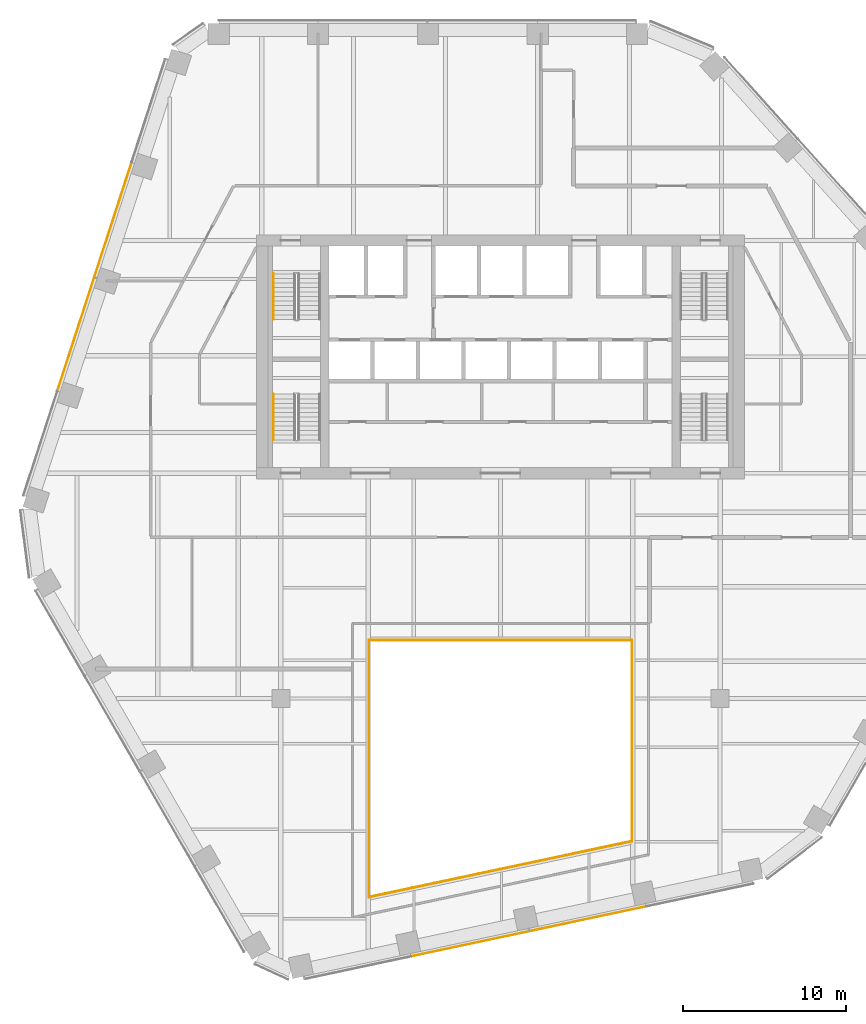
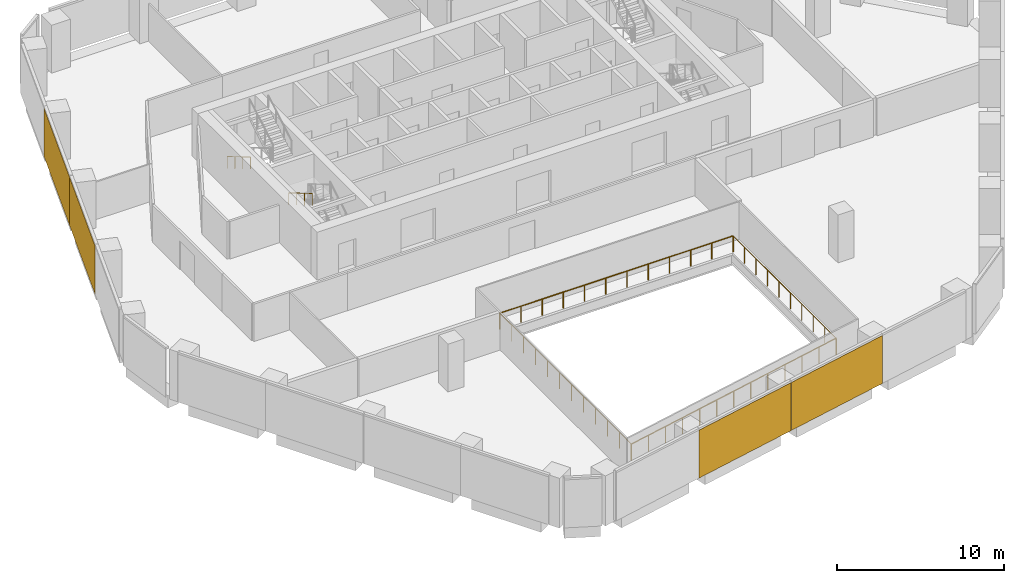
# One storey, part 14 of 16: 6 railings, 4 coverings, 2 elements without a shape of their own.
"""IFC4 building model written with IfcOpenShell, lengths in metres."""

from ifc_helpers import new_model, si_unit, direction, frame, origin, origin_2d, place, context, subcontext, project, spatial, rectangle, circle, extrude, material, layer, layer_set, type_object, element, aggregate, save


model = new_model("IFC4")

# Units and contexts
model_context = context("Model", 3, precision=1e-05, world=origin(), true_north=direction((0.0, 1.0)))
body_context = subcontext(model_context, "Body", "Model", "MODEL_VIEW")
ifc_project = project(units=[si_unit("LENGTHUNIT", "METRE"), si_unit("AREAUNIT", "SQUARE_METRE"), si_unit("VOLUMEUNIT", "CUBIC_METRE"), si_unit("PLANEANGLEUNIT", "RADIAN"), si_unit("MASSUNIT", "GRAM", prefix="KILO")], contexts=[model_context])

# Site, building, storey
site_placement = place(None, origin())
site = spatial("IfcSite", under=ifc_project, at=site_placement, CompositionType="ELEMENT")
building_placement = place(site_placement, origin())
building = spatial("IfcBuilding", under=site, at=building_placement, Name="Isthmus Gate Tower", CompositionType="ELEMENT")
storey_placement = place(building_placement, frame((0.0, 0.0, 170.800048828125)))
storey = spatial("IfcBuildingStorey", under=building, at=storey_placement, Name="L42", CompositionType="ELEMENT", Elevation=170.800048828125)

# Railings
ifc_material_1 = material(Name="Laminated toughened glass balustrade with steel rail", Category="steel")
railing_type_1 = type_object("IfcRailingType", Name="ATRIUM GUARD GLASS BALUSTRADE 1200", PredefinedType="GUARDRAIL", material=ifc_material_1)
railing_1_placement = place(storey_placement, frame((-8.080078125, -25.7099609375, 0.0)))
element("IfcRailing", 1, at=railing_1_placement, inside=storey, type_object=railing_type_1, Name="L42 atrium guard", PredefinedType="GUARDRAIL", context=body_context, shape_type="SweptSolid", body=[
    extrude(circle(Radius=0.02490234375, at=origin_2d()), frame((0.0, 0.0, 1.1748046875), z_axis=(0.0, 1.0, 0.0), x_axis=(-1.0, 0.0, 0.0)), (0.0, 0.0, 1.0), 15.7900390625),
    extrude(circle(Radius=0.02490234375, at=origin_2d()), origin(), (0.0, 0.0, 1.0), 1.14990234375),
    extrude(circle(Radius=0.02490234375, at=origin_2d()), frame((0.0, 1.435546875, 0.0)), (0.0, 0.0, 1.0), 1.14990234375),
    extrude(circle(Radius=0.02490234375, at=origin_2d()), frame((0.0, 2.870849609375, 0.0)), (0.0, 0.0, 1.0), 1.14990234375),
    extrude(circle(Radius=0.02490234375, at=origin_2d()), frame((0.0, 4.306396484375, 0.0)), (0.0, 0.0, 1.0), 1.14990234375),
    extrude(circle(Radius=0.02490234375, at=origin_2d()), frame((0.0, 5.741943359375, 0.0)), (0.0, 0.0, 1.0), 1.14990234375),
    extrude(circle(Radius=0.02490234375, at=origin_2d()), frame((0.0, 7.17724609375, 0.0)), (0.0, 0.0, 1.0), 1.14990234375),
    extrude(circle(Radius=0.02490234375, at=origin_2d()), frame((0.0, 8.61279296875, 0.0)), (0.0, 0.0, 1.0), 1.14990234375),
    extrude(circle(Radius=0.02490234375, at=origin_2d()), frame((0.0, 10.048095703125, 0.0)), (0.0, 0.0, 1.0), 1.14990234375),
    extrude(circle(Radius=0.02490234375, at=origin_2d()), frame((0.0, 11.483642578125, 0.0)), (0.0, 0.0, 1.0), 1.14990234375),
    extrude(circle(Radius=0.02490234375, at=origin_2d()), frame((0.0, 12.919189453125, 0.0)), (0.0, 0.0, 1.0), 1.14990234375),
    extrude(circle(Radius=0.02490234375, at=origin_2d()), frame((0.0, 14.3544921875, 0.0)), (0.0, 0.0, 1.0), 1.14990234375),
    extrude(circle(Radius=0.02490234375, at=origin_2d()), frame((0.0, 15.7900390625, 0.0)), (0.0, 0.0, 1.0), 1.14990234375),
])
railing_2_placement = place(storey_placement, frame((-8.080078125, -9.919921875, 0.0)))
element("IfcRailing", 2, at=railing_2_placement, inside=storey, type_object=railing_type_1, Name="L42 atrium guard", PredefinedType="GUARDRAIL", context=body_context, shape_type="SweptSolid", body=[
    extrude(circle(Radius=0.02490234375, at=origin_2d()), frame((0.0, 0.0, 1.1748046875), z_axis=(1.0, 0.0, 0.0), x_axis=(0.0, 1.0, 0.0)), (0.0, 0.0, 1.0), 16.16015625),
    extrude(circle(Radius=0.02490234375, at=origin_2d()), origin(), (0.0, 0.0, 1.0), 1.14990234375),
    extrude(circle(Radius=0.02490234375, at=origin_2d()), frame((1.468994140625, 0.0, 0.0)), (0.0, 0.0, 1.0), 1.14990234375),
    extrude(circle(Radius=0.02490234375, at=origin_2d()), frame((2.938232421875, 0.0, 0.0)), (0.0, 0.0, 1.0), 1.14990234375),
    extrude(circle(Radius=0.02490234375, at=origin_2d()), frame((4.4072265625, 0.0, 0.0)), (0.0, 0.0, 1.0), 1.14990234375),
    extrude(circle(Radius=0.02490234375, at=origin_2d()), frame((5.87646484375, 0.0, 0.0)), (0.0, 0.0, 1.0), 1.14990234375),
    extrude(circle(Radius=0.02490234375, at=origin_2d()), frame((7.345458984375, 0.0, 0.0)), (0.0, 0.0, 1.0), 1.14990234375),
    extrude(circle(Radius=0.02490234375, at=origin_2d()), frame((8.814697265625, 0.0, 0.0)), (0.0, 0.0, 1.0), 1.14990234375),
    extrude(circle(Radius=0.02490234375, at=origin_2d()), frame((10.28369140625, 0.0, 0.0)), (0.0, 0.0, 1.0), 1.14990234375),
    extrude(circle(Radius=0.02490234375, at=origin_2d()), frame((11.7529296875, 0.0, 0.0)), (0.0, 0.0, 1.0), 1.14990234375),
    extrude(circle(Radius=0.02490234375, at=origin_2d()), frame((13.221923828125, 0.0, 0.0)), (0.0, 0.0, 1.0), 1.14990234375),
    extrude(circle(Radius=0.02490234375, at=origin_2d()), frame((14.691162109375, 0.0, 0.0)), (0.0, 0.0, 1.0), 1.14990234375),
    extrude(circle(Radius=0.02490234375, at=origin_2d()), frame((16.16015625, 0.0, 0.0)), (0.0, 0.0, 1.0), 1.14990234375),
])
railing_3_placement = place(storey_placement, frame((8.080078125, -9.919921875, 0.0)))
element("IfcRailing", 3, at=railing_3_placement, inside=storey, type_object=railing_type_1, Name="L42 atrium guard", PredefinedType="GUARDRAIL", context=body_context, shape_type="SweptSolid", body=[
    extrude(circle(Radius=0.02490234375, at=origin_2d()), frame((0.0, 0.0, 1.1748046875), z_axis=(0.0, -1.0, 0.0), x_axis=(1.0, 0.0, 0.0)), (0.0, 0.0, 1.0), 12.35498046875),
    extrude(circle(Radius=0.02490234375, at=origin_2d()), origin(), (0.0, 0.0, 1.0), 1.14990234375),
    extrude(circle(Radius=0.02490234375, at=origin_2d()), frame((0.0, -1.372802734375, 0.0)), (0.0, 0.0, 1.0), 1.14990234375),
    extrude(circle(Radius=0.02490234375, at=origin_2d()), frame((0.0, -2.74560546875, 0.0)), (0.0, 0.0, 1.0), 1.14990234375),
    extrude(circle(Radius=0.02490234375, at=origin_2d()), frame((0.0, -4.118408203125, 0.0)), (0.0, 0.0, 1.0), 1.14990234375),
    extrude(circle(Radius=0.02490234375, at=origin_2d()), frame((0.0, -5.4912109375, 0.0)), (0.0, 0.0, 1.0), 1.14990234375),
    extrude(circle(Radius=0.02490234375, at=origin_2d()), frame((0.0, -6.86376953125, 0.0)), (0.0, 0.0, 1.0), 1.14990234375),
    extrude(circle(Radius=0.02490234375, at=origin_2d()), frame((0.0, -8.236572265625, 0.0)), (0.0, 0.0, 1.0), 1.14990234375),
    extrude(circle(Radius=0.02490234375, at=origin_2d()), frame((0.0, -9.609375, 0.0)), (0.0, 0.0, 1.0), 1.14990234375),
    extrude(circle(Radius=0.02490234375, at=origin_2d()), frame((0.0, -10.982177734375, 0.0)), (0.0, 0.0, 1.0), 1.14990234375),
    extrude(circle(Radius=0.02490234375, at=origin_2d()), frame((0.0, -12.35498046875, 0.0)), (0.0, 0.0, 1.0), 1.14990234375),
])
railing_4_placement = place(storey_placement, frame((8.080078125, -22.27490234375, 0.0)))
element("IfcRailing", 4, at=railing_4_placement, inside=storey, type_object=railing_type_1, Name="L42 atrium guard", PredefinedType="GUARDRAIL", context=body_context, shape_type="SweptSolid", body=[
    extrude(circle(Radius=0.02490234375, at=origin_2d()), frame((0.0, 0.0, 1.1748046875), z_axis=(-0.978146230105, -0.207918139013, 0.0), x_axis=(0.207918139013, -0.978146230105, 0.0)), (0.0, 0.0, 1.0), 16.521240234375),
    extrude(circle(Radius=0.02490234375, at=origin_2d()), origin(), (0.0, 0.0, 1.0), 1.14990234375),
    extrude(circle(Radius=0.02490234375, at=origin_2d()), frame((-1.3466796875, -0.2861328125, 0.0)), (0.0, 0.0, 1.0), 1.14990234375),
    extrude(circle(Radius=0.02490234375, at=origin_2d()), frame((-2.693359375, -0.572509765625, 0.0)), (0.0, 0.0, 1.0), 1.14990234375),
    extrude(circle(Radius=0.02490234375, at=origin_2d()), frame((-4.0400390625, -0.85888671875, 0.0)), (0.0, 0.0, 1.0), 1.14990234375),
    extrude(circle(Radius=0.02490234375, at=origin_2d()), frame((-5.38671875, -1.14501953125, 0.0)), (0.0, 0.0, 1.0), 1.14990234375),
    extrude(circle(Radius=0.02490234375, at=origin_2d()), frame((-6.7333984375, -1.43115234375, 0.0)), (0.0, 0.0, 1.0), 1.14990234375),
    extrude(circle(Radius=0.02490234375, at=origin_2d()), frame((-8.080078125, -1.717529296875, 0.0)), (0.0, 0.0, 1.0), 1.14990234375),
    extrude(circle(Radius=0.02490234375, at=origin_2d()), frame((-9.4267578125, -2.00390625, 0.0)), (0.0, 0.0, 1.0), 1.14990234375),
    extrude(circle(Radius=0.02490234375, at=origin_2d()), frame((-10.7734375, -2.2900390625, 0.0)), (0.0, 0.0, 1.0), 1.14990234375),
    extrude(circle(Radius=0.02490234375, at=origin_2d()), frame((-12.1201171875, -2.576171875, 0.0)), (0.0, 0.0, 1.0), 1.14990234375),
    extrude(circle(Radius=0.02490234375, at=origin_2d()), frame((-13.466796875, -2.862548828125, 0.0)), (0.0, 0.0, 1.0), 1.14990234375),
    extrude(circle(Radius=0.02490234375, at=origin_2d()), frame((-14.8134765625, -3.14892578125, 0.0)), (0.0, 0.0, 1.0), 1.14990234375),
    extrude(circle(Radius=0.02490234375, at=origin_2d()), frame((-16.16015625, -3.43505859375, 0.0)), (0.0, 0.0, 1.0), 1.14990234375),
])

# Curtain wall, coverings
ifc_material_2 = material(Name="Aluminium, pale champagne anodised", Category="aluminium")
ifc_layer_1 = layer(ifc_material_2, 0.199951171875)
ifc_layer_set_1 = layer_set([ifc_layer_1], Name="CW-1 UNITISED CURTAIN WALL 200 DEEP")
curtain_wall_type = type_object("IfcCurtainWallType", Name="CW-1 UNITISED CURTAIN WALL 200 DEEP", PredefinedType="NOTDEFINED", material=ifc_layer_set_1)
curtain_wall_1_placement = place(storey_placement, origin())
curtain_wall_1 = element("IfcCurtainWall", 5, at=curtain_wall_1_placement, inside=storey, type_object=curtain_wall_type, Name="CW-1 NW L42", PredefinedType="NOTDEFINED")
ifc_material_3 = material(Name="Aluminium composite panel, pale champagne anodised", Category="aluminium")
ifc_layer_2 = layer(ifc_material_3, 0.035888671875)
ifc_layer_set_2 = layer_set([ifc_layer_2], Name="CW-1 PALE METAL PANEL 36")
covering_type = type_object("IfcCoveringType", Name="CW-1 PALE METAL PANEL 36", PredefinedType="CLADDING", material=ifc_layer_set_2)
covering_1_placement = place(storey_placement, frame((-23.813720703125, 15.927490234375, 0.0), z_axis=(0.0, 0.0, 1.0), x_axis=(-0.309016994375, -0.951056516295, 0.0)))
covering_1 = element("IfcCovering", 6, at=covering_1_placement, type_object=covering_type, Name="CW-1 pale metal panel", PredefinedType="CLADDING", context=body_context, shape_type="SweptSolid", body=[
    extrude(rectangle(XDim=7.390869140625, YDim=0.035888671875, at=origin_2d()), origin(), (0.0, 0.0, 1.0), 3.510009765625),
])
covering_2_placement = place(storey_placement, frame((-26.10693359375, 8.8701171875, 0.0), z_axis=(0.0, 0.0, 1.0), x_axis=(-0.309016994375, -0.951056516295, 0.0)))
covering_2 = element("IfcCovering", 7, at=covering_2_placement, type_object=covering_type, Name="CW-1 pale metal panel", PredefinedType="CLADDING", context=body_context, shape_type="SweptSolid", body=[
    extrude(rectangle(XDim=7.330810546875, YDim=0.035888671875, at=origin_2d()), origin(), (0.0, 0.0, 1.0), 3.510009765625),
])
aggregate(curtain_wall_1, [covering_1, covering_2])

curtain_wall_2_placement = place(storey_placement, origin())
curtain_wall_2 = element("IfcCurtainWall", 8, at=curtain_wall_2_placement, inside=storey, type_object=curtain_wall_type, Name="CW-1 S L42", PredefinedType="NOTDEFINED")
covering_3_placement = place(storey_placement, frame((-1.88671875, -28.587158203125, 0.0), z_axis=(0.0, 0.0, 1.0), x_axis=(0.978147600734, 0.207911690818, 0.0)))
covering_3 = element("IfcCovering", 9, at=covering_3_placement, type_object=covering_type, Name="CW-1 pale metal panel", PredefinedType="CLADDING", context=body_context, shape_type="SweptSolid", body=[
    extrude(rectangle(XDim=7.390869140625, YDim=0.035888671875, at=origin_2d()), origin(), (0.0, 0.0, 1.0), 3.510009765625),
])
covering_4_placement = place(storey_placement, frame((5.371826171875, -27.044189453125, 0.0), z_axis=(0.0, 0.0, 1.0), x_axis=(0.978147600734, 0.207911690818, 0.0)))
covering_4 = element("IfcCovering", 10, at=covering_4_placement, type_object=covering_type, Name="CW-1 pale metal panel", PredefinedType="CLADDING", context=body_context, shape_type="SweptSolid", body=[
    extrude(rectangle(XDim=7.330810546875, YDim=0.035888671875, at=origin_2d()), origin(), (0.0, 0.0, 1.0), 3.510009765625),
])
aggregate(curtain_wall_2, [covering_3, covering_4])

# Railings
ifc_material_4 = material(Name="Stainless steel handrail", Category="steel")
railing_type_2 = type_object("IfcRailingType", Name="STAIR HANDRAIL 900", PredefinedType="HANDRAIL", material=ifc_material_4)
railing_5_placement = place(storey_placement, frame((-13.949951171875, 12.60009765625, 0.165771484375)))
element("IfcRailing", 11, at=railing_5_placement, inside=storey, type_object=railing_type_2, Name="L42 ST1 stair handrail 1", PredefinedType="HANDRAIL", context=body_context, shape_type="SweptSolid", body=[
    extrude(circle(Radius=0.02392578125, at=origin_2d()), frame((0.0, 0.0, 0.8759765625), z_axis=(0.0, -0.860306154799, 0.50977771628), x_axis=(1.0, 0.0, 0.0)), (0.0, 0.0, 1.0), 3.254638671875),
    extrude(circle(Radius=0.02099609375, at=origin_2d()), origin(), (0.0, 0.0, 1.0), 0.851806640625),
    extrude(circle(Radius=0.02099609375, at=origin_2d()), frame((0.0, -0.933349609375, 0.552978515625)), (0.0, 0.0, 1.0), 0.851806640625),
    extrude(circle(Radius=0.02099609375, at=origin_2d()), frame((0.0, -1.86669921875, 1.106201171875)), (0.0, 0.0, 1.0), 0.851806640625),
    extrude(circle(Radius=0.02099609375, at=origin_2d()), frame((0.0, -2.800048828125, 1.6591796875)), (0.0, 0.0, 1.0), 0.851806640625),
])
railing_6_placement = place(storey_placement, frame((-13.949951171875, 5.199951171875, 1.990966796875)))
element("IfcRailing", 12, at=railing_6_placement, inside=storey, type_object=railing_type_2, Name="L42 ST7 stair handrail 2", PredefinedType="HANDRAIL", context=body_context, shape_type="SweptSolid", body=[
    extrude(circle(Radius=0.02392578125, at=origin_2d()), frame((0.0, 0.0, 0.8759765625), z_axis=(0.0, -0.860339051648, 0.50972219513), x_axis=(1.0, 0.0, 0.0)), (0.0, 0.0, 1.0), 3.254638671875),
    extrude(circle(Radius=0.02099609375, at=origin_2d()), origin(), (0.0, 0.0, 1.0), 0.851806640625),
    extrude(circle(Radius=0.02099609375, at=origin_2d()), frame((0.0, -0.933349609375, 0.552978515625)), (0.0, 0.0, 1.0), 0.851806640625),
    extrude(circle(Radius=0.02099609375, at=origin_2d()), frame((0.0, -1.86669921875, 1.10595703125)), (0.0, 0.0, 1.0), 0.851806640625),
    extrude(circle(Radius=0.02099609375, at=origin_2d()), frame((0.0, -2.800048828125, 1.658935546875)), (0.0, 0.0, 1.0), 0.851806640625),
])

save(model, "model.ifc")
